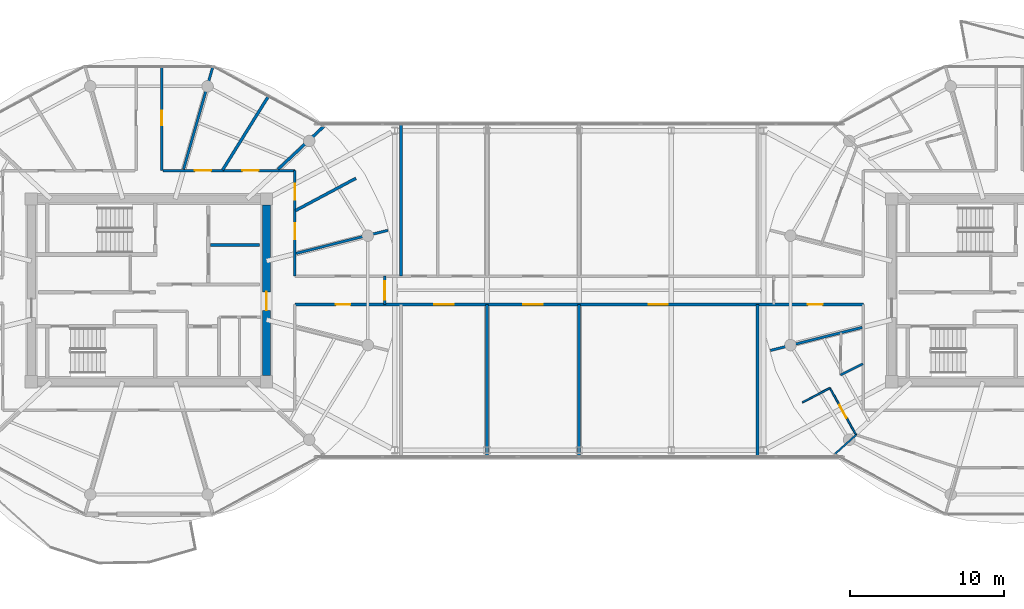
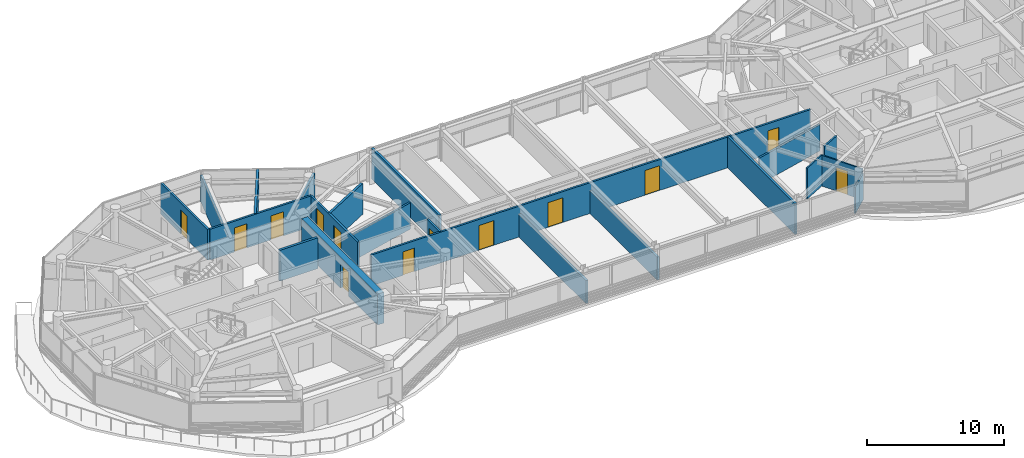
# One storey, part 15 of 24: 21 walls, 13 doors, 13 openings.
"""IFC4 building model written with IfcOpenShell, lengths in metres."""

from ifc_helpers import new_model, si_unit, direction, frame, frame_2d, origin, place, context, subcontext, project, spatial, rectangle, extrude, source, transform, mapped, material, layer, layer_set, type_object, type_shapes, element, fill, save


model = new_model("IFC4")

# Units and contexts
model_context = context("Model", 3, precision=1e-05, world=origin(), true_north=direction((0.0, 1.0)))
body_context = subcontext(model_context, "Body", "Model", "MODEL_VIEW")
ifc_project = project(units=[si_unit("LENGTHUNIT", "METRE"), si_unit("AREAUNIT", "SQUARE_METRE"), si_unit("VOLUMEUNIT", "CUBIC_METRE"), si_unit("PLANEANGLEUNIT", "RADIAN"), si_unit("MASSUNIT", "GRAM", prefix="KILO")], contexts=[model_context])

# Site, building, storey
site_placement = place(None, origin())
site = spatial("IfcSite", under=ifc_project, at=site_placement, CompositionType="ELEMENT")
building_placement = place(site_placement, origin())
building = spatial("IfcBuilding", under=site, at=building_placement, Name="Norrkilde Senior Care Towers", CompositionType="ELEMENT")
storey_placement = place(building_placement, frame((0.0, 0.0, 223.050048828125)))
storey = spatial("IfcBuildingStorey", under=building, at=storey_placement, Name="L69", CompositionType="ELEMENT", Elevation=223.050048828125)

# Wall, opening, door
ifc_material_1 = material(Name="Concrete C50/60", Category="concrete")
ifc_layer_1 = layer(ifc_material_1, 0.52001953125)
ifc_layer_set_1 = layer_set([ifc_layer_1], Name="Concrete C50/60")
wall_type_1 = type_object("IfcWallType", Name="Core Shear Wall Z4 520", PredefinedType="SHEAR", material=ifc_layer_set_1)
shared_shape_1 = source(origin(), body_context, "Body", "SweptSolid", [
    extrude(rectangle(XDim=11.10009765625, YDim=0.52001953125, at=frame_2d((5.550048828125, 0.0))), origin(), (0.0, 0.0, 1.0), 2.760009765625),
])
type_shapes(wall_type_1, [shared_shape_1])
wall_1_placement = place(storey_placement, frame((-20.35009765625, 5.550048828125, 0.0), z_axis=(0.0, 0.0, 1.0), x_axis=(0.0, -1.0, 0.0)))
wall_1 = element("IfcWall", 1, at=wall_1_placement, inside=storey, type_object=wall_type_1, Name="L69 Core W East Shear Wall", PredefinedType="SHEAR", context=body_context, shape_type="MappedRepresentation", body=[
    mapped(shared_shape_1, transform((0.0, 0.0, 0.0), x_axis=(1.0, 0.0, 0.0), y_axis=(0.0, 1.0, 0.0), z_axis=(0.0, 0.0, 1.0), scale=1.0)),
])
opening_1_placement = place(wall_1_placement, frame((5.64990234375, 0.0, 0.0)))
opening_1 = element("IfcOpeningElement", 2, at=opening_1_placement, cuts=wall_1, Name="Opening D-04", PredefinedType="OPENING", context=body_context, shape_type="SweptSolid", body=[
    extrude(rectangle(XDim=1.199951171875, YDim=2.14990234375, at=frame_2d((0.60009765625, 1.074951171875))), frame((0.0, 0.27001953125, 0.0), z_axis=(0.0, -1.0, 0.0), x_axis=(1.0, 0.0, 0.0)), (0.0, 0.0, 1.0), 0.5400390625),
])
ifc_material_2 = material(Name="Galvanised Painted Steel", Category="steel")
door_type_1 = type_object("IfcDoorType", Name="Firefighting Lobby Fire Door 1200x2150", OperationType="NOTDEFINED", PredefinedType="DOOR", material=ifc_material_2)
shared_shape_2 = source(origin(), body_context, "Body", "SweptSolid", [
    extrude(rectangle(XDim=1.199951171875, YDim=2.14990234375, at=frame_2d((0.60009765625, 1.074951171875))), frame((0.0, 0.02490234375, 0.0), z_axis=(0.0, -1.0, 0.0), x_axis=(1.0, 0.0, 0.0)), (0.0, 0.0, 1.0), 0.050048828125),
])
type_shapes(door_type_1, [shared_shape_2])
door_1_placement = place(opening_1_placement, frame((1.199951171875, 0.0, 0.0), z_axis=(0.0, 0.0, 1.0), x_axis=(-1.0, 0.0, 0.0)))
door_1 = element("IfcDoor", 3, at=door_1_placement, inside=storey, type_object=door_type_1, Name="L69 Core W East Portal Door", OperationType="SINGLE_SWING_RIGHT", OverallHeight=2.14990234375, OverallWidth=1.199951171875, PredefinedType="DOOR", context=body_context, shape_type="MappedRepresentation", body=[
    mapped(shared_shape_2, transform((0.0, 0.0, 0.0), x_axis=(1.0, 0.0, 0.0), y_axis=(0.0, 1.0, 0.0), z_axis=(0.0, 0.0, 1.0), scale=1.0)),
])
fill(opening_1, door_1)

# Walls
ifc_material_3 = material(Name="Gypsum Acoustic Board")
ifc_layer_2 = layer(ifc_material_3, 0.1650390625)
ifc_layer_set_2 = layer_set([ifc_layer_2], Name="Gypsum Acoustic Board")
wall_type_2 = type_object("IfcWallType", Name="Corridor Rated Partition 165", PredefinedType="PARTITIONING", material=ifc_layer_set_2)
shared_shape_3 = source(origin(), body_context, "Body", "SweptSolid", [
    extrude(rectangle(XDim=6.973876953125, YDim=0.1650390625, at=frame_2d((3.48681640625, 0.0))), origin(), (0.0, 0.0, 1.0), 2.344970703125),
])
wall_2_placement = place(storey_placement, frame((-25.748779296875, 7.8798828125, 0.0), z_axis=(0.0, 0.0, 1.0), x_axis=(0.274707256801, 0.961527910703, 0.0)))
element("IfcWall", 4, at=wall_2_placement, inside=storey, type_object=wall_type_2, Name="WL-INT-L69-W-DEM-02-0", PredefinedType="PARTITIONING", context=body_context, shape_type="MappedRepresentation", body=[
    mapped(shared_shape_3, transform((0.0, 0.0, 0.0), x_axis=(1.0, 0.0, 0.0), y_axis=(0.0, 1.0, 0.0), z_axis=(0.0, 0.0, 1.0), scale=1.0)),
])
shared_shape_4 = source(origin(), body_context, "Body", "SweptSolid", [
    extrude(rectangle(XDim=6.1572265625, YDim=0.1650390625, at=frame_2d((3.07861328125, 0.0))), origin(), (0.0, 0.0, 1.0), 2.344970703125),
])
for number, where, z_axis, x_axis, name in (
    (5, (-18.419921875, 2.407470703125, 0.0), (0.0, 0.0, 1.0), (0.969840867184, 0.243738984038, 0.0), "WL-INT-L69-W-DEM-00-0"),
    (6, (18.419921875, -2.407470703125, 0.0), (0.0, 0.0, 1.0), (-0.969840867184, -0.243738984038, 0.0), "WL-INT-L69-E-DEM-06-0"),
):
    element("IfcWall", number, at=place(storey_placement, frame(where, z_axis=z_axis, x_axis=x_axis)), inside=storey, type_object=wall_type_2, Name=name, PredefinedType="PARTITIONING", context=body_context, shape_type="MappedRepresentation", body=[
        mapped(shared_shape_4, transform((0.0, 0.0, 0.0), x_axis=(1.0, 0.0, 0.0), y_axis=(0.0, 1.0, 0.0), z_axis=(0.0, 0.0, 1.0), scale=1.0)),
    ])
ifc_layer_3 = layer(ifc_material_3, 0.18994140625)
ifc_layer_set_3 = layer_set([ifc_layer_3], Name="Gypsum Acoustic Board")
wall_type_3 = type_object("IfcWallType", Name="Unit Demising Acoustic Wall 190", PredefinedType="PARTITIONING", material=ifc_layer_set_3)
shared_shape_5 = source(origin(), body_context, "Body", "SweptSolid", [
    extrude(rectangle(XDim=4.089111328125, YDim=0.18994140625, at=frame_2d((2.04443359375, 0.0))), origin(), (0.0, 0.0, 1.0), 2.344970703125),
])
wall_3_placement = place(storey_placement, frame((-19.59814453125, 7.8798828125, 0.0), z_axis=(0.0, 0.0, 1.0), x_axis=(0.729401273609, 0.684086092577, 0.0)))
element("IfcWall", 7, at=wall_3_placement, inside=storey, type_object=wall_type_3, Name="WL-INT-L69-W-DEM-01-0", PredefinedType="PARTITIONING", context=body_context, shape_type="MappedRepresentation", body=[
    mapped(shared_shape_5, transform((0.0, 0.0, 0.0), x_axis=(1.0, 0.0, 0.0), y_axis=(0.0, 1.0, 0.0), z_axis=(0.0, 0.0, 1.0), scale=1.0)),
])
ifc_material_4 = material(Name="Concrete C45/55", Category="concrete")
ifc_layer_4 = layer(ifc_material_4, 0.199951171875)
ifc_layer_set_4 = layer_set([ifc_layer_4], Name="Concrete C45/55")
wall_type_4 = type_object("IfcWallType", Name="Shaft Division and Plant Partition 200", PredefinedType="PARTITIONING", material=ifc_layer_set_4)
shared_shape_6 = source(origin(), body_context, "Body", "SweptSolid", [
    extrude(rectangle(XDim=3.199951171875, YDim=0.199951171875, at=frame_2d((1.60009765625, 0.0))), origin(), (0.0, 0.0, 1.0), 2.744873046875),
])
type_shapes(wall_type_4, [shared_shape_6])
wall_4_placement = place(storey_placement, frame((-24.0, 2.949951171875, 0.0), z_axis=(0.0, 0.0, 1.0), x_axis=(1.0, 0.0, 0.0)))
element("IfcWall", 8, at=wall_4_placement, inside=storey, type_object=wall_type_4, Name="WL-INT-L69-W-FFLDIV", PredefinedType="PARTITIONING", context=body_context, shape_type="MappedRepresentation", body=[
    mapped(shared_shape_6, transform((0.0, 0.0, 0.0), x_axis=(1.0, 0.0, 0.0), y_axis=(0.0, 1.0, 0.0), z_axis=(0.0, 0.0, 1.0), scale=1.0)),
])

# Wall, openings, doors
shared_shape_7 = source(origin(), body_context, "Body", "SweptSolid", [
    extrude(rectangle(XDim=8.580078125, YDim=0.1650390625, at=frame_2d((4.2900390625, 0.0))), origin(), (0.0, 0.0, 1.0), 2.744873046875),
])
wall_5_placement = place(storey_placement, frame((-27.080078125, 7.800048828125, 0.0), z_axis=(0.0, 0.0, 1.0), x_axis=(1.0, 0.0, 0.0)))
wall_5 = element("IfcWall", 9, at=wall_5_placement, inside=storey, type_object=wall_type_2, Name="WL-INT-L69-W-CRW-N-1", PredefinedType="PARTITIONING", context=body_context, shape_type="MappedRepresentation", body=[
    mapped(shared_shape_7, transform((0.0, 0.0, 0.0), x_axis=(1.0, 0.0, 0.0), y_axis=(0.0, 1.0, 0.0), z_axis=(0.0, 0.0, 1.0), scale=1.0)),
])
opening_2_placement = place(wall_5_placement, frame((5.166259765625, 0.0, 0.0)))
opening_2 = element("IfcOpeningElement", 10, at=opening_2_placement, cuts=wall_5, Name="Opening D-06", PredefinedType="OPENING", context=body_context, shape_type="SweptSolid", body=[
    extrude(rectangle(XDim=1.050048828125, YDim=2.14990234375, at=frame_2d((0.52490234375, 1.074951171875))), frame((0.0, 0.092529296875, 0.0), z_axis=(0.0, -1.0, 0.0), x_axis=(1.0, 0.0, 0.0)), (0.0, 0.0, 1.0), 0.18505859375),
])
opening_3_placement = place(wall_5_placement, frame((2.076416015625, 0.0, 0.0)))
opening_3 = element("IfcOpeningElement", 11, at=opening_3_placement, cuts=wall_5, Name="Opening D-06", PredefinedType="OPENING", context=body_context, shape_type="SweptSolid", body=[
    extrude(rectangle(XDim=1.050048828125, YDim=2.14990234375, at=frame_2d((0.52490234375, 1.074951171875))), frame((0.0, 0.092529296875, 0.0), z_axis=(0.0, -1.0, 0.0), x_axis=(1.0, 0.0, 0.0)), (0.0, 0.0, 1.0), 0.18505859375),
])
ifc_material_5 = material(Name="Nordic Ash Timber", Category="wood")
door_type_2 = type_object("IfcDoorType", Name="Apartment Entrance Fire Door 1050x2150", OperationType="NOTDEFINED", PredefinedType="DOOR", material=ifc_material_5)
shared_shape_8 = source(origin(), body_context, "Body", "SweptSolid", [
    extrude(rectangle(XDim=1.050048828125, YDim=2.14990234375, at=frame_2d((0.52490234375, 1.074951171875))), frame((0.0, 0.02490234375, 0.0), z_axis=(0.0, -1.0, 0.0), x_axis=(1.0, 0.0, 0.0)), (0.0, 0.0, 1.0), 0.050048828125),
])
type_shapes(door_type_2, [shared_shape_8])
door_2_placement = place(opening_2_placement, frame((1.050048828125, 0.0, 0.0), z_axis=(0.0, 0.0, 1.0), x_axis=(-1.0, 0.0, 0.0)))
door_2 = element("IfcDoor", 12, at=door_2_placement, inside=storey, type_object=door_type_2, Name="L69 Physiotherapy Clinic 1A Door", OperationType="SINGLE_SWING_RIGHT", OverallHeight=2.14990234375, OverallWidth=1.050048828125, PredefinedType="DOOR", context=body_context, shape_type="MappedRepresentation", body=[
    mapped(shared_shape_8, transform((0.0, 0.0, 0.0), x_axis=(1.0, 0.0, 0.0), y_axis=(0.0, 1.0, 0.0), z_axis=(0.0, 0.0, 1.0), scale=1.0)),
])
fill(opening_2, door_2)
door_3_placement = place(opening_3_placement, frame((1.050048828125, 0.0, 0.0), z_axis=(0.0, 0.0, 1.0), x_axis=(-1.0, 0.0, 0.0)))
door_3 = element("IfcDoor", 13, at=door_3_placement, inside=storey, type_object=door_type_2, Name="L69 Assessment Clinic 1B Door", OperationType="SINGLE_SWING_LEFT", OverallHeight=2.14990234375, OverallWidth=1.050048828125, PredefinedType="DOOR", context=body_context, shape_type="MappedRepresentation", body=[
    mapped(shared_shape_8, transform((0.0, 0.0, 0.0), x_axis=(1.0, 0.0, 0.0), y_axis=(0.0, 1.0, 0.0), z_axis=(0.0, 0.0, 1.0), scale=1.0)),
])
fill(opening_3, door_3)

shared_shape_9 = source(origin(), body_context, "Body", "SweptSolid", [
    extrude(rectangle(XDim=6.880126953125, YDim=0.1650390625, at=frame_2d((3.43994140625, 0.0))), origin(), (0.0, 0.0, 1.0), 2.744873046875),
])
wall_6_placement = place(storey_placement, frame((-18.5, 7.800048828125, 0.0), z_axis=(0.0, 0.0, 1.0), x_axis=(0.0, -1.0, 0.0)))
wall_6 = element("IfcWall", 14, at=wall_6_placement, inside=storey, type_object=wall_type_2, Name="WL-INT-L69-W-CRW-E-0", PredefinedType="PARTITIONING", context=body_context, shape_type="MappedRepresentation", body=[
    mapped(shared_shape_9, transform((0.0, 0.0, 0.0), x_axis=(1.0, 0.0, 0.0), y_axis=(0.0, 1.0, 0.0), z_axis=(0.0, 0.0, 1.0), scale=1.0)),
])
opening_4_placement = place(wall_6_placement, frame((3.4208984375, 0.0, 0.0)))
opening_4 = element("IfcOpeningElement", 15, at=opening_4_placement, cuts=wall_6, Name="Opening D-06", PredefinedType="OPENING", context=body_context, shape_type="SweptSolid", body=[
    extrude(rectangle(XDim=1.050048828125, YDim=2.14990234375, at=frame_2d((0.52490234375, 1.074951171875))), frame((0.0, 0.092529296875, 0.0), z_axis=(0.0, -1.0, 0.0), x_axis=(1.0, 0.0, 0.0)), (0.0, 0.0, 1.0), 0.18505859375),
])
opening_5_placement = place(wall_6_placement, frame((0.856201171875, 0.0, 0.0)))
opening_5 = element("IfcOpeningElement", 16, at=opening_5_placement, cuts=wall_6, Name="Opening D-06", PredefinedType="OPENING", context=body_context, shape_type="SweptSolid", body=[
    extrude(rectangle(XDim=1.050048828125, YDim=2.14990234375, at=frame_2d((0.52490234375, 1.074951171875))), frame((0.0, 0.092529296875, 0.0), z_axis=(0.0, -1.0, 0.0), x_axis=(1.0, 0.0, 0.0)), (0.0, 0.0, 1.0), 0.18505859375),
])
door_4_placement = place(opening_4_placement, frame((1.050048828125, 0.0, 0.0), z_axis=(0.0, 0.0, 1.0), x_axis=(-1.0, 0.0, 0.0)))
door_4 = element("IfcDoor", 17, at=door_4_placement, inside=storey, type_object=door_type_2, Name="L69 Physiotherapy Clinic 0A Door", OperationType="SINGLE_SWING_LEFT", OverallHeight=2.14990234375, OverallWidth=1.050048828125, PredefinedType="DOOR", context=body_context, shape_type="MappedRepresentation", body=[
    mapped(shared_shape_8, transform((0.0, 0.0, 0.0), x_axis=(1.0, 0.0, 0.0), y_axis=(0.0, 1.0, 0.0), z_axis=(0.0, 0.0, 1.0), scale=1.0)),
])
fill(opening_4, door_4)
door_5_placement = place(opening_5_placement, frame((1.050048828125, 0.0, 0.0), z_axis=(0.0, 0.0, 1.0), x_axis=(-1.0, 0.0, 0.0)))
door_5 = element("IfcDoor", 18, at=door_5_placement, inside=storey, type_object=door_type_2, Name="L69 Assessment Clinic 0B Door", OperationType="SINGLE_SWING_RIGHT", OverallHeight=2.14990234375, OverallWidth=1.050048828125, PredefinedType="DOOR", context=body_context, shape_type="MappedRepresentation", body=[
    mapped(shared_shape_8, transform((0.0, 0.0, 0.0), x_axis=(1.0, 0.0, 0.0), y_axis=(0.0, 1.0, 0.0), z_axis=(0.0, 0.0, 1.0), scale=1.0)),
])
fill(opening_5, door_5)

# Wall, opening, door
shared_shape_10 = source(origin(), body_context, "Body", "SweptSolid", [
    extrude(rectangle(XDim=6.83544921875, YDim=0.1650390625, at=frame_2d((3.417724609375, 0.0))), origin(), (0.0, 0.0, 1.0), 2.744873046875),
])
wall_7_placement = place(storey_placement, frame((-27.159912109375, 14.635498046875, 0.0), z_axis=(0.0, 0.0, 1.0), x_axis=(0.0, -1.0, 0.0)))
wall_7 = element("IfcWall", 19, at=wall_7_placement, inside=storey, type_object=wall_type_2, Name="WL-INT-L69-W-SPK-N2-0", PredefinedType="PARTITIONING", context=body_context, shape_type="MappedRepresentation", body=[
    mapped(shared_shape_10, transform((0.0, 0.0, 0.0), x_axis=(1.0, 0.0, 0.0), y_axis=(0.0, 1.0, 0.0), z_axis=(0.0, 0.0, 1.0), scale=1.0)),
])
opening_6_placement = place(wall_7_placement, frame((2.942626953125, 0.0, 0.0)))
opening_6 = element("IfcOpeningElement", 20, at=opening_6_placement, cuts=wall_7, Name="Opening D-07", PredefinedType="OPENING", context=body_context, shape_type="SweptSolid", body=[
    extrude(rectangle(XDim=0.949951171875, YDim=2.10009765625, at=frame_2d((0.47509765625, 1.050048828125))), frame((0.0, 0.092529296875, 0.0), z_axis=(0.0, -1.0, 0.0), x_axis=(1.0, 0.0, 0.0)), (0.0, 0.0, 1.0), 0.18505859375),
])
door_type_3 = type_object("IfcDoorType", Name="Internal Suite Bedroom Door 950x2100", OperationType="NOTDEFINED", PredefinedType="DOOR", material=ifc_material_5)
shared_shape_11 = source(origin(), body_context, "Body", "SweptSolid", [
    extrude(rectangle(XDim=0.949951171875, YDim=2.10009765625, at=frame_2d((0.47509765625, 1.050048828125))), frame((0.0, 0.02490234375, 0.0), z_axis=(0.0, -1.0, 0.0), x_axis=(1.0, 0.0, 0.0)), (0.0, 0.0, 1.0), 0.050048828125),
])
type_shapes(door_type_3, [shared_shape_11])
door_6_placement = place(opening_6_placement, frame((0.949951171875, 0.0, 0.0), z_axis=(0.0, 0.0, 1.0), x_axis=(-1.0, 0.0, 0.0)))
door_6 = element("IfcDoor", 21, at=door_6_placement, inside=storey, type_object=door_type_3, Name="L69 Sun Reading Lounge 4 Door", OperationType="SINGLE_SWING_LEFT", OverallHeight=2.10009765625, OverallWidth=0.949951171875, PredefinedType="DOOR", context=body_context, shape_type="MappedRepresentation", body=[
    mapped(shared_shape_11, transform((0.0, 0.0, 0.0), x_axis=(1.0, 0.0, 0.0), y_axis=(0.0, 1.0, 0.0), z_axis=(0.0, 0.0, 1.0), scale=1.0)),
])
fill(opening_6, door_6)

# Wall
ifc_layer_5 = layer(ifc_material_3, 0.139892578125)
ifc_layer_set_5 = layer_set([ifc_layer_5], Name="Gypsum Acoustic Board")
wall_type_5 = type_object("IfcWallType", Name="En-suite Wet Room Wall 140", PredefinedType="PARTITIONING", material=ifc_layer_set_5)
shared_shape_12 = source(origin(), body_context, "Body", "SweptSolid", [
    extrude(rectangle(XDim=1.638427734375, YDim=0.139892578125, at=frame_2d((0.8193359375, 0.0))), origin(), (0.0, 0.0, 1.0), 2.744873046875),
])
type_shapes(wall_type_5, [shared_shape_12])
wall_8_placement = place(storey_placement, frame((18.469970703125, -4.7783203125, 0.0), z_axis=(0.0, 0.0, 1.0), x_axis=(-0.893919977945, -0.448226586707, 0.0)))
element("IfcWall", 22, at=wall_8_placement, inside=storey, type_object=wall_type_5, Name="WL-INT-L69-E-UBTS-06", PredefinedType="PARTITIONING", context=body_context, shape_type="MappedRepresentation", body=[
    mapped(shared_shape_12, transform((0.0, 0.0, 0.0), x_axis=(1.0, 0.0, 0.0), y_axis=(0.0, 1.0, 0.0), z_axis=(0.0, 0.0, 1.0), scale=1.0)),
])

# Wall, opening, door
shared_shape_13 = source(origin(), body_context, "Body", "SweptSolid", [
    extrude(rectangle(XDim=1.83984375, YDim=0.1650390625, at=frame_2d((0.919921875, 0.0))), origin(), (0.0, 0.0, 1.0), 2.744873046875),
])
wall_9_placement = place(storey_placement, frame((-12.64990234375, -0.919921875, 0.0), z_axis=(0.0, 0.0, 1.0), x_axis=(0.0, 1.0, 0.0)))
wall_9 = element("IfcWall", 23, at=wall_9_placement, inside=storey, type_object=wall_type_2, Name="WL-INT-L69-BR-GW", PredefinedType="PARTITIONING", context=body_context, shape_type="MappedRepresentation", body=[
    mapped(shared_shape_13, transform((0.0, 0.0, 0.0), x_axis=(1.0, 0.0, 0.0), y_axis=(0.0, 1.0, 0.0), z_axis=(0.0, 0.0, 1.0), scale=1.0)),
])
opening_7_placement = place(wall_9_placement, frame((0.320068359375, 0.0, 0.0)))
opening_7 = element("IfcOpeningElement", 24, at=opening_7_placement, cuts=wall_9, Name="Opening D-04", PredefinedType="OPENING", context=body_context, shape_type="SweptSolid", body=[
    extrude(rectangle(XDim=1.199951171875, YDim=2.14990234375, at=frame_2d((0.60009765625, 1.074951171875))), frame((0.0, 0.092529296875, 0.0), z_axis=(0.0, -1.0, 0.0), x_axis=(1.0, 0.0, 0.0)), (0.0, 0.0, 1.0), 0.18505859375),
])
door_7_placement = place(opening_7_placement, frame((1.199951171875, 0.0, 0.0), z_axis=(0.0, 0.0, 1.0), x_axis=(-1.0, 0.0, 0.0)))
door_7 = element("IfcDoor", 25, at=door_7_placement, inside=storey, type_object=door_type_1, Name="L69 Sky-Gate Bridge GW Fire Door", OperationType="SINGLE_SWING_LEFT", OverallHeight=2.14990234375, OverallWidth=1.199951171875, PredefinedType="DOOR", context=body_context, shape_type="MappedRepresentation", body=[
    mapped(shared_shape_2, transform((0.0, 0.0, 0.0), x_axis=(1.0, 0.0, 0.0), y_axis=(0.0, 1.0, 0.0), z_axis=(0.0, 0.0, 1.0), scale=1.0)),
])
fill(opening_7, door_7)

# Wall, openings, doors
shared_shape_14 = source(origin(), body_context, "Body", "SweptSolid", [
    extrude(rectangle(XDim=37.0, YDim=0.1650390625, at=frame_2d((18.5, 0.0))), origin(), (0.0, 0.0, 1.0), 2.744873046875),
])
type_shapes(wall_type_2, [shared_shape_3, shared_shape_4, shared_shape_7, shared_shape_9, shared_shape_10, shared_shape_13, shared_shape_14])
wall_10_placement = place(storey_placement, frame((-18.5, -0.919921875, 0.0), z_axis=(0.0, 0.0, 1.0), x_axis=(1.0, 0.0, 0.0)))
wall_10 = element("IfcWall", 26, at=wall_10_placement, inside=storey, type_object=wall_type_2, Name="WL-INT-L69-BR-CS", PredefinedType="PARTITIONING", context=body_context, shape_type="MappedRepresentation", body=[
    mapped(shared_shape_14, transform((0.0, 0.0, 0.0), x_axis=(1.0, 0.0, 0.0), y_axis=(0.0, 1.0, 0.0), z_axis=(0.0, 0.0, 1.0), scale=1.0)),
])
opening_8_placement = place(wall_10_placement, frame((2.66162109375, 0.0, 0.0)))
opening_8 = element("IfcOpeningElement", 27, at=opening_8_placement, cuts=wall_10, Name="Opening D-07", PredefinedType="OPENING", context=body_context, shape_type="SweptSolid", body=[
    extrude(rectangle(XDim=0.949951171875, YDim=2.10009765625, at=frame_2d((0.47509765625, 1.050048828125))), frame((0.0, 0.092529296875, 0.0), z_axis=(0.0, -1.0, 0.0), x_axis=(1.0, 0.0, 0.0)), (0.0, 0.0, 1.0), 0.18505859375),
])
opening_9_placement = place(wall_10_placement, frame((33.38818359375, 0.0, 0.0)))
opening_9 = element("IfcOpeningElement", 28, at=opening_9_placement, cuts=wall_10, Name="Opening D-07", PredefinedType="OPENING", context=body_context, shape_type="SweptSolid", body=[
    extrude(rectangle(XDim=0.949951171875, YDim=2.10009765625, at=frame_2d((0.47509765625, 1.050048828125))), frame((0.0, 0.092529296875, 0.0), z_axis=(0.0, -1.0, 0.0), x_axis=(1.0, 0.0, 0.0)), (0.0, 0.0, 1.0), 0.18505859375),
])
opening_10_placement = place(wall_10_placement, frame((9.074951171875, 0.0, 0.0)))
opening_10 = element("IfcOpeningElement", 29, at=opening_10_placement, cuts=wall_10, Name="Opening D-05", PredefinedType="OPENING", context=body_context, shape_type="SweptSolid", body=[
    extrude(rectangle(XDim=1.25, YDim=2.199951171875, at=frame_2d((0.625, 1.10009765625))), frame((0.0, 0.092529296875, 0.0), z_axis=(0.0, -1.0, 0.0), x_axis=(1.0, 0.0, 0.0)), (0.0, 0.0, 1.0), 0.18505859375),
])
opening_11_placement = place(wall_10_placement, frame((14.875, 0.0, 0.0)))
opening_11 = element("IfcOpeningElement", 30, at=opening_11_placement, cuts=wall_10, Name="Opening D-05", PredefinedType="OPENING", context=body_context, shape_type="SweptSolid", body=[
    extrude(rectangle(XDim=1.25, YDim=2.199951171875, at=frame_2d((0.625, 1.10009765625))), frame((0.0, 0.092529296875, 0.0), z_axis=(0.0, -1.0, 0.0), x_axis=(1.0, 0.0, 0.0)), (0.0, 0.0, 1.0), 0.18505859375),
])
opening_12_placement = place(wall_10_placement, frame((23.030029296875, 0.0, 0.0)))
opening_12 = element("IfcOpeningElement", 31, at=opening_12_placement, cuts=wall_10, Name="Opening D-05", PredefinedType="OPENING", context=body_context, shape_type="SweptSolid", body=[
    extrude(rectangle(XDim=1.25, YDim=2.199951171875, at=frame_2d((0.625, 1.10009765625))), frame((0.0, 0.092529296875, 0.0), z_axis=(0.0, -1.0, 0.0), x_axis=(1.0, 0.0, 0.0)), (0.0, 0.0, 1.0), 0.18505859375),
])
door_type_4 = type_object("IfcDoorType", Name="Care Bedroom Bariatric Door 1250x2200", OperationType="NOTDEFINED", PredefinedType="DOOR", material=ifc_material_5)
shared_shape_15 = source(origin(), body_context, "Body", "SweptSolid", [
    extrude(rectangle(XDim=1.25, YDim=2.199951171875, at=frame_2d((0.625, 1.10009765625))), frame((0.0, 0.02490234375, 0.0), z_axis=(0.0, -1.0, 0.0), x_axis=(1.0, 0.0, 0.0)), (0.0, 0.0, 1.0), 0.050048828125),
])
type_shapes(door_type_4, [shared_shape_15])
door_8_placement = place(opening_10_placement, origin())
door_8 = element("IfcDoor", 32, at=door_8_placement, inside=storey, type_object=door_type_4, Name="L69 Bridge South Room 1 Door", OperationType="SINGLE_SWING_LEFT", OverallHeight=2.199951171875, OverallWidth=1.25, PredefinedType="DOOR", context=body_context, shape_type="MappedRepresentation", body=[
    mapped(shared_shape_15, transform((0.0, 0.0, 0.0), x_axis=(1.0, 0.0, 0.0), y_axis=(0.0, 1.0, 0.0), z_axis=(0.0, 0.0, 1.0), scale=1.0)),
])
fill(opening_10, door_8)
door_9_placement = place(opening_11_placement, origin())
door_9 = element("IfcDoor", 33, at=door_9_placement, inside=storey, type_object=door_type_4, Name="L69 Bridge South Room 2 Door", OperationType="SINGLE_SWING_RIGHT", OverallHeight=2.199951171875, OverallWidth=1.25, PredefinedType="DOOR", context=body_context, shape_type="MappedRepresentation", body=[
    mapped(shared_shape_15, transform((0.0, 0.0, 0.0), x_axis=(1.0, 0.0, 0.0), y_axis=(0.0, 1.0, 0.0), z_axis=(0.0, 0.0, 1.0), scale=1.0)),
])
fill(opening_11, door_9)
door_10_placement = place(opening_12_placement, origin())
door_10 = element("IfcDoor", 34, at=door_10_placement, inside=storey, type_object=door_type_4, Name="L69 Bridge South Room 3 Door", OperationType="SINGLE_SWING_LEFT", OverallHeight=2.199951171875, OverallWidth=1.25, PredefinedType="DOOR", context=body_context, shape_type="MappedRepresentation", body=[
    mapped(shared_shape_15, transform((0.0, 0.0, 0.0), x_axis=(1.0, 0.0, 0.0), y_axis=(0.0, 1.0, 0.0), z_axis=(0.0, 0.0, 1.0), scale=1.0)),
])
fill(opening_12, door_10)
door_11_placement = place(opening_8_placement, frame((0.949951171875, 0.0, 0.0), z_axis=(0.0, 0.0, 1.0), x_axis=(-1.0, 0.0, 0.0)))
door_11 = element("IfcDoor", 35, at=door_11_placement, inside=storey, type_object=door_type_3, Name="L69 Sun Reading Lounge 5 Door", OperationType="SINGLE_SWING_RIGHT", OverallHeight=2.10009765625, OverallWidth=0.949951171875, PredefinedType="DOOR", context=body_context, shape_type="MappedRepresentation", body=[
    mapped(shared_shape_11, transform((0.0, 0.0, 0.0), x_axis=(1.0, 0.0, 0.0), y_axis=(0.0, 1.0, 0.0), z_axis=(0.0, 0.0, 1.0), scale=1.0)),
])
fill(opening_8, door_11)
door_12_placement = place(opening_9_placement, frame((0.949951171875, 0.0, 0.0), z_axis=(0.0, 0.0, 1.0), x_axis=(-1.0, 0.0, 0.0)))
door_12 = element("IfcDoor", 36, at=door_12_placement, inside=storey, type_object=door_type_3, Name="L69 Sun Reading Lounge 1 Door", OperationType="SINGLE_SWING_RIGHT", OverallHeight=2.10009765625, OverallWidth=0.949951171875, PredefinedType="DOOR", context=body_context, shape_type="MappedRepresentation", body=[
    mapped(shared_shape_11, transform((0.0, 0.0, 0.0), x_axis=(1.0, 0.0, 0.0), y_axis=(0.0, 1.0, 0.0), z_axis=(0.0, 0.0, 1.0), scale=1.0)),
])
fill(opening_9, door_12)

# Walls
shared_shape_16 = source(origin(), body_context, "Body", "SweptSolid", [
    extrude(rectangle(XDim=9.880126953125, YDim=0.18994140625, at=frame_2d((4.93994140625, 0.0))), origin(), (0.0, 0.0, 1.0), 2.744873046875),
])
for number, where, z_axis, x_axis, name in (
    (37, (-11.60009765625, 0.919921875, 0.0), (0.0, 0.0, 1.0), (0.0, 1.0, 0.0), "WL-INT-L69-BR-EN-12"),
    (38, (11.60009765625, -10.800048828125, 0.0), (0.0, 0.0, 1.0), (0.0, 1.0, 0.0), "WL-INT-L69-BR-ES+12"),
):
    element("IfcWall", number, at=place(storey_placement, frame(where, z_axis=z_axis, x_axis=x_axis)), inside=storey, type_object=wall_type_3, Name=name, PredefinedType="PARTITIONING", context=body_context, shape_type="MappedRepresentation", body=[
        mapped(shared_shape_16, transform((0.0, 0.0, 0.0), x_axis=(1.0, 0.0, 0.0), y_axis=(0.0, 1.0, 0.0), z_axis=(0.0, 0.0, 1.0), scale=1.0)),
    ])
shared_shape_17 = source(origin(), body_context, "Body", "SweptSolid", [
    extrude(rectangle(XDim=9.880126953125, YDim=0.18994140625, at=frame_2d((4.93994140625, 0.0))), origin(), (0.0, 0.0, 1.0), 2.044921875),
])
for number, where, z_axis, x_axis, name in (
    (39, (-6.0, -10.800048828125, 0.0), (0.0, 0.0, 1.0), (0.0, 1.0, 0.0), "WL-INT-L69-BR-VS1"),
    (40, (0.0, -10.800048828125, 0.0), (0.0, 0.0, 1.0), (0.0, 1.0, 0.0), "WL-INT-L69-BR-VS2"),
):
    element("IfcWall", number, at=place(storey_placement, frame(where, z_axis=z_axis, x_axis=x_axis)), inside=storey, type_object=wall_type_3, Name=name, PredefinedType="PARTITIONING", context=body_context, shape_type="MappedRepresentation", body=[
        mapped(shared_shape_17, transform((0.0, 0.0, 0.0), x_axis=(1.0, 0.0, 0.0), y_axis=(0.0, 1.0, 0.0), z_axis=(0.0, 0.0, 1.0), scale=1.0)),
    ])
ifc_layer_6 = layer(ifc_material_3, 0.114990234375)
ifc_layer_set_6 = layer_set([ifc_layer_6], Name="Gypsum Acoustic Board")
wall_type_6 = type_object("IfcWallType", Name="Internal Room Partition 115", PredefinedType="PARTITIONING", material=ifc_layer_set_6)
shared_shape_18 = source(origin(), body_context, "Body", "SweptSolid", [
    extrude(rectangle(XDim=1.905029296875, YDim=0.114990234375, at=frame_2d((0.95263671875, 0.0))), origin(), (0.0, 0.0, 1.0), 2.344970703125),
])
wall_11_placement = place(storey_placement, frame((18.0302734375, -9.4013671875, 0.0), z_axis=(0.0, 0.0, 1.0), x_axis=(-0.742624708137, -0.669707804094, 0.0)))
element("IfcWall", 41, at=wall_11_placement, inside=storey, type_object=wall_type_6, Name="WL-INT-L69-E-UBR-06-1", PredefinedType="PARTITIONING", context=body_context, shape_type="MappedRepresentation", body=[
    mapped(shared_shape_18, transform((0.0, 0.0, 0.0), x_axis=(1.0, 0.0, 0.0), y_axis=(0.0, 1.0, 0.0), z_axis=(0.0, 0.0, 1.0), scale=1.0)),
])
shared_shape_19 = source(origin(), body_context, "Body", "SweptSolid", [
    extrude(rectangle(XDim=4.46484375, YDim=0.18994140625, at=frame_2d((2.232421875, 0.0))), origin(), (0.0, 0.0, 1.0), 2.744873046875),
])
wall_12_placement = place(storey_placement, frame((-18.469970703125, 5.1884765625, 0.0), z_axis=(0.0, 0.0, 1.0), x_axis=(0.881981829834, 0.471283409259, 0.0)))
element("IfcWall", 42, at=wall_12_placement, inside=storey, type_object=wall_type_3, Name="WL-INT-L69-W-MID-00", PredefinedType="PARTITIONING", context=body_context, shape_type="MappedRepresentation", body=[
    mapped(shared_shape_19, transform((0.0, 0.0, 0.0), x_axis=(1.0, 0.0, 0.0), y_axis=(0.0, 1.0, 0.0), z_axis=(0.0, 0.0, 1.0), scale=1.0)),
])
shared_shape_20 = source(origin(), body_context, "Body", "SweptSolid", [
    extrude(rectangle(XDim=5.65185546875, YDim=0.18994140625, at=frame_2d((2.825927734375, 0.0))), origin(), (0.0, 0.0, 1.0), 2.744873046875),
])
type_shapes(wall_type_3, [shared_shape_5, shared_shape_16, shared_shape_17, shared_shape_19, shared_shape_20])
wall_13_placement = place(storey_placement, frame((-23.2060546875, 7.830078125, 0.0), z_axis=(0.0, 0.0, 1.0), x_axis=(0.527566076956, 0.84951399897, 0.0)))
element("IfcWall", 43, at=wall_13_placement, inside=storey, type_object=wall_type_3, Name="WL-INT-L69-W-MID-01", PredefinedType="PARTITIONING", context=body_context, shape_type="MappedRepresentation", body=[
    mapped(shared_shape_20, transform((0.0, 0.0, 0.0), x_axis=(1.0, 0.0, 0.0), y_axis=(0.0, 1.0, 0.0), z_axis=(0.0, 0.0, 1.0), scale=1.0)),
])
shared_shape_21 = source(origin(), body_context, "Body", "SweptSolid", [
    extrude(rectangle(XDim=2.014892578125, YDim=0.114990234375, at=frame_2d((1.00732421875, 0.0))), origin(), (0.0, 0.0, 1.0), 2.744873046875),
])
wall_14_placement = place(storey_placement, frame((16.318115234375, -6.360107421875, 0.0), z_axis=(0.0, 0.0, 1.0), x_axis=(-0.886437892009, -0.462847559797, 0.0)))
element("IfcWall", 44, at=wall_14_placement, inside=storey, type_object=wall_type_6, Name="WL-INT-L69-E-UKTS-06", PredefinedType="PARTITIONING", context=body_context, shape_type="MappedRepresentation", body=[
    mapped(shared_shape_21, transform((0.0, 0.0, 0.0), x_axis=(1.0, 0.0, 0.0), y_axis=(0.0, 1.0, 0.0), z_axis=(0.0, 0.0, 1.0), scale=1.0)),
])

# Wall, opening, door
shared_shape_22 = source(origin(), body_context, "Body", "SweptSolid", [
    extrude(rectangle(XDim=3.49267578125, YDim=0.114990234375, at=frame_2d((1.746337890625, 0.0))), origin(), (0.0, 0.0, 1.0), 2.744873046875),
])
type_shapes(wall_type_6, [shared_shape_18, shared_shape_21, shared_shape_22])
wall_15_placement = place(storey_placement, frame((16.318115234375, -6.360107421875, 0.0), z_axis=(0.0, 0.0, 1.0), x_axis=(0.487896553961, -0.872901456427, 0.0)))
wall_15 = element("IfcWall", 45, at=wall_15_placement, inside=storey, type_object=wall_type_6, Name="WL-INT-L69-E-UKTF-06", PredefinedType="PARTITIONING", context=body_context, shape_type="MappedRepresentation", body=[
    mapped(shared_shape_22, transform((0.0, 0.0, 0.0), x_axis=(1.0, 0.0, 0.0), y_axis=(0.0, 1.0, 0.0), z_axis=(0.0, 0.0, 1.0), scale=1.0)),
])
opening_13_placement = place(wall_15_placement, frame((1.271484375, 0.0, 0.0)))
opening_13 = element("IfcOpeningElement", 46, at=opening_13_placement, cuts=wall_15, Name="Opening D-07", PredefinedType="OPENING", context=body_context, shape_type="SweptSolid", body=[
    extrude(rectangle(XDim=0.949951171875, YDim=2.10009765625, at=frame_2d((0.47509765625, 1.050048828125))), frame((0.0, 0.0673828125, 0.0), z_axis=(0.0, -1.0, 0.0), x_axis=(1.0, 0.0, 0.0)), (0.0, 0.0, 1.0), 0.135009765625),
])
door_13_placement = place(opening_13_placement, frame((0.949951171875, 0.0, 0.0), z_axis=(0.0, 0.0, 1.0), x_axis=(-1.0, 0.0, 0.0)))
door_13 = element("IfcDoor", 47, at=door_13_placement, inside=storey, type_object=door_type_3, Name="Apartment 69C Kitchen Door", OperationType="SINGLE_SWING_LEFT", OverallHeight=2.10009765625, OverallWidth=0.949951171875, PredefinedType="DOOR", context=body_context, shape_type="MappedRepresentation", body=[
    mapped(shared_shape_11, transform((0.0, 0.0, 0.0), x_axis=(1.0, 0.0, 0.0), y_axis=(0.0, 1.0, 0.0), z_axis=(0.0, 0.0, 1.0), scale=1.0)),
])
fill(opening_13, door_13)

save(model, "model.ifc")
